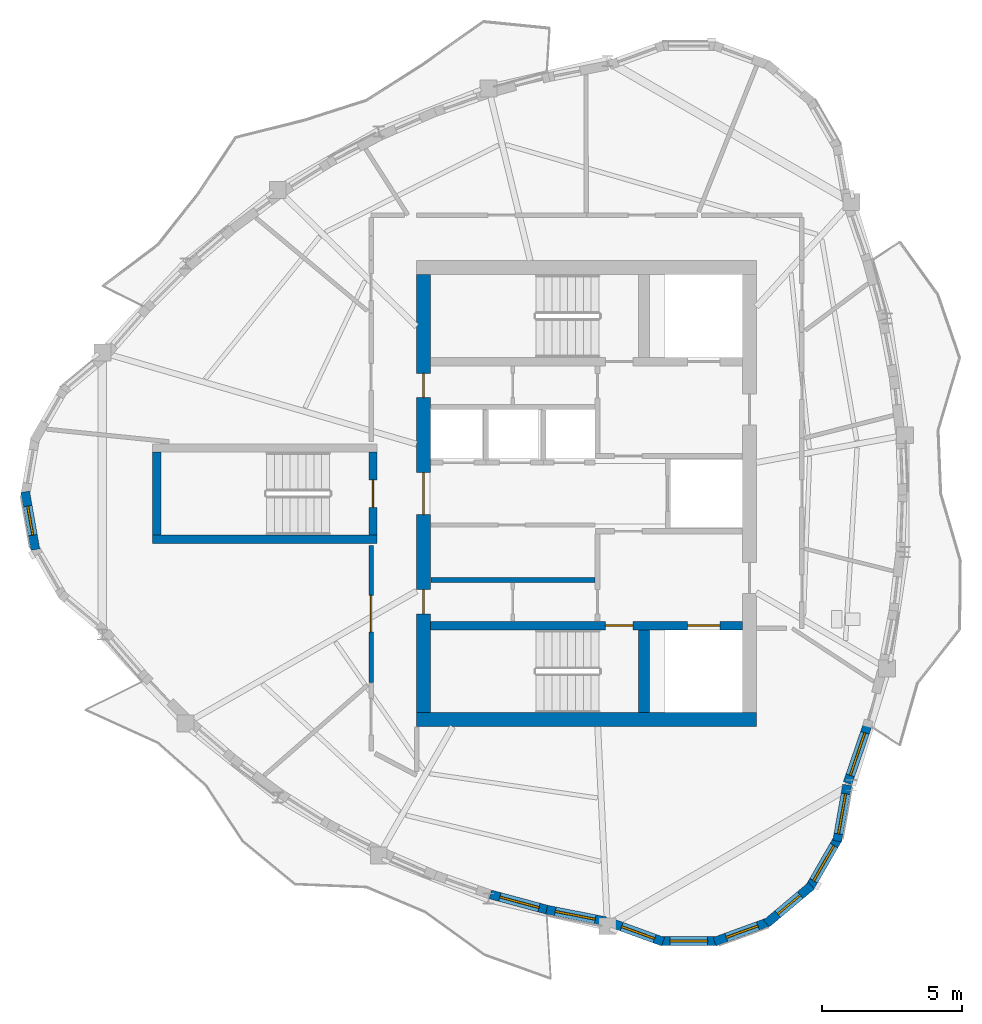
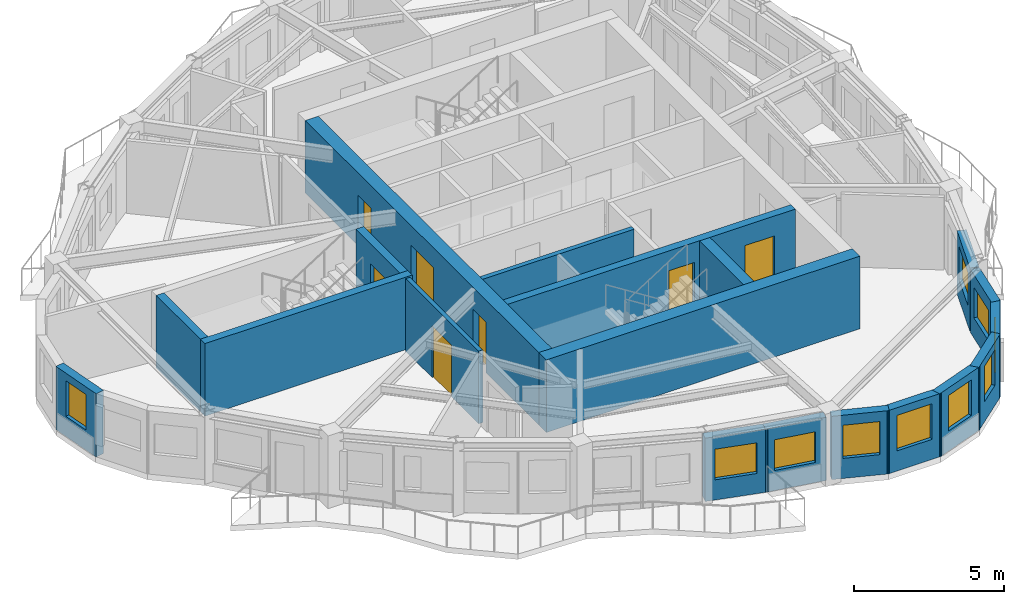
# One storey, part 3 of 11: 19 walls, 10 windows, 7 doors, 17 openings.
"""IFC4 building model written with IfcOpenShell, lengths in metres."""

from ifc_helpers import new_model, si_unit, direction, frame, frame_2d, origin, place, context, subcontext, project, spatial, rectangle, extrude, source, transform, mapped, material, layer, layer_set, type_object, element, fill, save


model = new_model("IFC4")

# Units and contexts
model_context = context("Model", 3, precision=1e-05, world=origin(), true_north=direction((0.0, 1.0)))
body_context = subcontext(model_context, "Body", "Model", "MODEL_VIEW")
ifc_project = project(units=[si_unit("LENGTHUNIT", "METRE"), si_unit("AREAUNIT", "SQUARE_METRE"), si_unit("VOLUMEUNIT", "CUBIC_METRE"), si_unit("PLANEANGLEUNIT", "RADIAN"), si_unit("MASSUNIT", "GRAM", prefix="KILO")], contexts=[model_context])

# Site, building, storey
site_placement = place(None, origin())
site = spatial("IfcSite", under=ifc_project, at=site_placement, CompositionType="ELEMENT")
building_placement = place(site_placement, origin())
building = spatial("IfcBuilding", under=site, at=building_placement, Name="Qafzar Sky-Pleat Residences", CompositionType="ELEMENT")
storey_placement = place(building_placement, frame((0.0, 0.0, 240.39990234375)))
storey = spatial("IfcBuildingStorey", under=building, at=storey_placement, Name="L72", CompositionType="ELEMENT", Elevation=240.39990234375)

# Wall, opening, door
ifc_material_1 = material(Name="Acoustic gypsum plasterboard partition", Category="gypsum")
ifc_layer_1 = layer(ifc_material_1, 0.159912109375)
ifc_layer_set_1 = layer_set([ifc_layer_1], Name="Acoustic gypsum plasterboard partition")
wall_type_1 = type_object("IfcWallType", Name="PART-COR-160", PredefinedType="PARTITIONING", material=ifc_layer_set_1)
wall_1_placement = place(storey_placement, frame((22.679931640625, 19.27099609375, 0.0), z_axis=(0.0, 0.0, 1.0), x_axis=(0.0, 1.0, 0.0)))
wall_1 = element("IfcWall", 1, at=wall_1_placement, inside=storey, type_object=wall_type_1, Name="L72 Partition Wall PART-L72-PW-002", PredefinedType="PARTITIONING", context=body_context, shape_type="SweptSolid", body=[
    extrude(rectangle(XDim=4.87890625, YDim=0.159912109375, at=frame_2d((2.439453125, 0.0))), origin(), (0.0, 0.0, 1.0), 2.960205078125),
])
opening_1_placement = place(wall_1_placement, frame((1.8076171875, 0.0, 0.0)))
opening_1 = element("IfcOpeningElement", 2, at=opening_1_placement, cuts=wall_1, Name="Opening ID-05", PredefinedType="OPENING", context=body_context, shape_type="SweptSolid", body=[
    extrude(rectangle(XDim=1.300048828125, YDim=2.10009765625, at=frame_2d((0.64990234375, 1.050048828125))), frame((0.0, 0.08984375, 0.0), z_axis=(0.0, -1.0, 0.0), x_axis=(1.0, 0.0, 0.0)), (0.0, 0.0, 1.0), 0.179931640625),
])
ifc_material_2 = material(Name="Timber-faced fire door", Category="wood")
door_type_1 = type_object("IfcDoorType", Name="DR-LNG-1300", OperationType="DOUBLE_DOOR_SINGLE_SWING", PredefinedType="DOOR", material=ifc_material_2)
shared_shape_1 = source(origin(), body_context, "Body", "SweptSolid", [
    extrude(rectangle(XDim=1.300048828125, YDim=2.10009765625, at=frame_2d((0.64990234375, 1.050048828125))), frame((0.0, 0.02490234375, 0.0), z_axis=(0.0, -1.0, 0.0), x_axis=(1.0, 0.0, 0.0)), (0.0, 0.0, 1.0), 0.050048828125),
])
door_1_placement = place(opening_1_placement, origin())
door_1 = element("IfcDoor", 3, at=door_1_placement, inside=storey, type_object=door_type_1, Name="L72 Tutorial Huddle Room Door", OperationType="DOUBLE_DOOR_SINGLE_SWING", OverallHeight=2.10009765625, OverallWidth=1.300048828125, PredefinedType="DOOR", context=body_context, shape_type="MappedRepresentation", body=[
    mapped(shared_shape_1, transform((0.0, 0.0, 0.0), x_axis=(1.0, 0.0, 0.0), y_axis=(0.0, 1.0, 0.0), z_axis=(0.0, 0.0, 1.0), scale=1.0)),
])
fill(opening_1, door_1)

# Wall
ifc_material_3 = material(Name="Concrete blockwork partition", Category="masonry")
ifc_layer_2 = layer(ifc_material_3, 0.179931640625)
ifc_layer_set_2 = layer_set([ifc_layer_2], Name="Concrete blockwork partition")
wall_type_2 = type_object("IfcWallType", Name="PART-SHAFT-180", PredefinedType="PARTITIONING", material=ifc_layer_set_2)
wall_2_placement = place(storey_placement, frame((24.81005859375, 22.919921875, 0.0), z_axis=(0.0, 0.0, 1.0), x_axis=(1.0, 0.0, 0.0)))
element("IfcWall", 4, at=wall_2_placement, inside=storey, type_object=wall_type_2, Name="L72 Partition Wall PART-L72-P13-S", PredefinedType="PARTITIONING", context=body_context, shape_type="SweptSolid", body=[
    extrude(rectangle(XDim=5.83984375, YDim=0.179931640625, at=frame_2d((2.919921875, 0.0))), origin(), (0.0, 0.0, 1.0), 2.960205078125),
])

# Wall, opening, window
ifc_material_4 = material(Name="Precast concrete C40/50 with honed Riyadh limestone", Category="concrete")
ifc_layer_3 = layer(ifc_material_4, 0.320068359375)
ifc_layer_set_3 = layer_set([ifc_layer_3], Name="Precast concrete C40/50 with honed Riyadh limestone")
wall_type_3 = type_object("IfcWallType", Name="WALL-EXT-320", PredefinedType="SOLIDWALL", material=ifc_layer_set_3)
wall_3_placement = place(storey_placement, frame((10.361083984375, 26.065185546875, 0.0), z_axis=(0.0, 0.0, 1.0), x_axis=(0.173672066494, -0.984803540469, 0.0)))
wall_3 = element("IfcWall", 5, at=wall_3_placement, inside=storey, type_object=wall_type_3, Name="L72 Limestone Facade Wall 4", PredefinedType="SOLIDWALL", context=body_context, shape_type="SweptSolid", body=[
    extrude(rectangle(XDim=2.09033203125, YDim=0.320068359375, at=frame_2d((1.045166015625, 0.0))), origin(), (0.0, 0.0, 1.0), 2.580078125),
])
opening_2_placement = place(wall_3_placement, frame((0.520263671875, 0.0, 0.820068359375)))
opening_2 = element("IfcOpeningElement", 6, at=opening_2_placement, cuts=wall_3, Name="Opening WN-06", PredefinedType="OPENING", context=body_context, shape_type="SweptSolid", body=[
    extrude(rectangle(XDim=1.050048828125, YDim=1.449951171875, at=frame_2d((0.52490234375, 0.72509765625))), frame((0.0, 0.169921875, 0.0), z_axis=(0.0, -1.0, 0.0), x_axis=(1.0, 0.0, 0.0)), (0.0, 0.0, 1.0), 0.340087890625),
])
ifc_material_5 = material(Name="Solar-control low-E glass in bronze aluminium frame", Category="glass")
window_type_1 = type_object("IfcWindowType", Name="WIN-06", PartitioningType="SINGLE_PANEL", PredefinedType="WINDOW", material=ifc_material_5)
shared_shape_2 = source(origin(), body_context, "Body", "SweptSolid", [
    extrude(rectangle(XDim=1.050048828125, YDim=1.449951171875, at=frame_2d((0.52490234375, 0.72509765625))), frame((0.0, 0.030029296875, 0.0), z_axis=(0.0, -1.0, 0.0), x_axis=(1.0, 0.0, 0.0)), (0.0, 0.0, 1.0), 0.06005859375),
])
window_1_placement = place(opening_2_placement, origin())
window_1 = element("IfcWindow", 7, at=window_1_placement, inside=storey, type_object=window_type_1, Name="L72 Punched Facade Window 04", OverallHeight=1.449951171875, OverallWidth=1.050048828125, PartitioningType="SINGLE_PANEL", PredefinedType="WINDOW", context=body_context, shape_type="MappedRepresentation", body=[
    mapped(shared_shape_2, transform((0.0, 0.0, 0.0), x_axis=(1.0, 0.0, 0.0), y_axis=(0.0, 1.0, 0.0), z_axis=(0.0, 0.0, 1.0), scale=1.0)),
])
fill(opening_2, window_1)

wall_4_placement = place(storey_placement, frame((26.927734375, 11.725830078125, 0.0), z_axis=(0.0, 0.0, 1.0), x_axis=(0.965475284531, -0.260494673572, 0.0)))
wall_4 = element("IfcWall", 8, at=wall_4_placement, inside=storey, type_object=wall_type_3, Name="L72 Limestone Facade Wall 15", PredefinedType="SOLIDWALL", context=body_context, shape_type="SweptSolid", body=[
    extrude(rectangle(XDim=2.166748046875, YDim=0.320068359375, at=frame_2d((1.08349609375, 0.0))), origin(), (0.0, 0.0, 1.0), 2.580078125),
])
opening_3_placement = place(wall_4_placement, frame((0.348388671875, 0.0, 0.820068359375)))
opening_3 = element("IfcOpeningElement", 9, at=opening_3_placement, cuts=wall_4, Name="Opening WN-15", PredefinedType="OPENING", context=body_context, shape_type="SweptSolid", body=[
    extrude(rectangle(XDim=1.449951171875, YDim=1.25, at=frame_2d((0.72509765625, 0.625))), frame((0.0, 0.169921875, 0.0), z_axis=(0.0, -1.0, 0.0), x_axis=(1.0, 0.0, 0.0)), (0.0, 0.0, 1.0), 0.340087890625),
])
window_type_2 = type_object("IfcWindowType", Name="WIN-15", PartitioningType="SINGLE_PANEL", PredefinedType="WINDOW", material=ifc_material_5)
shared_shape_3 = source(origin(), body_context, "Body", "SweptSolid", [
    extrude(rectangle(XDim=1.449951171875, YDim=1.25, at=frame_2d((0.72509765625, 0.625))), frame((0.0, 0.030029296875, 0.0), z_axis=(0.0, -1.0, 0.0), x_axis=(1.0, 0.0, 0.0)), (0.0, 0.0, 1.0), 0.06005859375),
])
window_2_placement = place(opening_3_placement, origin())
window_2 = element("IfcWindow", 10, at=window_2_placement, inside=storey, type_object=window_type_2, Name="L72 Punched Facade Window 15", OverallHeight=1.25, OverallWidth=1.449951171875, PartitioningType="SINGLE_PANEL", PredefinedType="WINDOW", context=body_context, shape_type="MappedRepresentation", body=[
    mapped(shared_shape_3, transform((0.0, 0.0, 0.0), x_axis=(1.0, 0.0, 0.0), y_axis=(0.0, 1.0, 0.0), z_axis=(0.0, 0.0, 1.0), scale=1.0)),
])
fill(opening_3, window_2)

wall_5_placement = place(storey_placement, frame((28.93505859375, 11.180908203125, 0.0), z_axis=(0.0, 0.0, 1.0), x_axis=(0.981241123534, -0.192784484559, 0.0)))
wall_5 = element("IfcWall", 11, at=wall_5_placement, inside=storey, type_object=wall_type_3, Name="L72 Limestone Facade Wall 16", PredefinedType="SOLIDWALL", context=body_context, shape_type="SweptSolid", body=[
    extrude(rectangle(XDim=2.142822265625, YDim=0.320068359375, at=frame_2d((1.0712890625, 0.0))), origin(), (0.0, 0.0, 1.0), 2.580078125),
])
opening_4_placement = place(wall_5_placement, frame((0.311279296875, 0.0, 0.820068359375)))
opening_4 = element("IfcOpeningElement", 12, at=opening_4_placement, cuts=wall_5, Name="Opening WN-15", PredefinedType="OPENING", context=body_context, shape_type="SweptSolid", body=[
    extrude(rectangle(XDim=1.449951171875, YDim=1.25, at=frame_2d((0.72509765625, 0.625))), frame((0.0, 0.169921875, 0.0), z_axis=(0.0, -1.0, 0.0), x_axis=(1.0, 0.0, 0.0)), (0.0, 0.0, 1.0), 0.340087890625),
])
window_3_placement = place(opening_4_placement, origin())
window_3 = element("IfcWindow", 13, at=window_3_placement, inside=storey, type_object=window_type_2, Name="L72 Punched Facade Window 16", OverallHeight=1.25, OverallWidth=1.449951171875, PartitioningType="SINGLE_PANEL", PredefinedType="WINDOW", context=body_context, shape_type="MappedRepresentation", body=[
    mapped(shared_shape_3, transform((0.0, 0.0, 0.0), x_axis=(1.0, 0.0, 0.0), y_axis=(0.0, 1.0, 0.0), z_axis=(0.0, 0.0, 1.0), scale=1.0)),
])
fill(opening_4, window_3)

wall_6_placement = place(storey_placement, frame((31.234375, 10.712890625, 0.0), z_axis=(0.0, 0.0, 1.0), x_axis=(0.939720740429, -0.341942875357, 0.0)))
wall_6 = element("IfcWall", 14, at=wall_6_placement, inside=storey, type_object=wall_type_3, Name="L72 Limestone Facade Wall 17", PredefinedType="SOLIDWALL", context=body_context, shape_type="SweptSolid", body=[
    extrude(rectangle(XDim=1.9619140625, YDim=0.320068359375, at=frame_2d((0.98095703125, 0.0))), origin(), (0.0, 0.0, 1.0), 2.580078125),
])
opening_5_placement = place(wall_6_placement, frame((0.39111328125, 0.0, 0.820068359375)))
opening_5 = element("IfcOpeningElement", 15, at=opening_5_placement, cuts=wall_6, Name="Opening WN-11", PredefinedType="OPENING", context=body_context, shape_type="SweptSolid", body=[
    extrude(rectangle(XDim=1.25, YDim=1.35009765625, at=frame_2d((0.625, 0.675048828125))), frame((0.0, 0.169921875, 0.0), z_axis=(0.0, -1.0, 0.0), x_axis=(1.0, 0.0, 0.0)), (0.0, 0.0, 1.0), 0.340087890625),
])
window_type_3 = type_object("IfcWindowType", Name="WIN-11", PartitioningType="SINGLE_PANEL", PredefinedType="WINDOW", material=ifc_material_5)
shared_shape_4 = source(origin(), body_context, "Body", "SweptSolid", [
    extrude(rectangle(XDim=1.25, YDim=1.35009765625, at=frame_2d((0.625, 0.675048828125))), frame((0.0, 0.030029296875, 0.0), z_axis=(0.0, -1.0, 0.0), x_axis=(1.0, 0.0, 0.0)), (0.0, 0.0, 1.0), 0.06005859375),
])
window_4_placement = place(opening_5_placement, origin())
window_4 = element("IfcWindow", 16, at=window_4_placement, inside=storey, type_object=window_type_3, Name="L72 Punched Facade Window 17", OverallHeight=1.35009765625, OverallWidth=1.25, PartitioningType="SINGLE_PANEL", PredefinedType="WINDOW", context=body_context, shape_type="MappedRepresentation", body=[
    mapped(shared_shape_4, transform((0.0, 0.0, 0.0), x_axis=(1.0, 0.0, 0.0), y_axis=(0.0, 1.0, 0.0), z_axis=(0.0, 0.0, 1.0), scale=1.0)),
])
fill(opening_5, window_4)

wall_7_placement = place(storey_placement, frame((32.94970703125, 10.064453125, 0.0), z_axis=(0.0, 0.0, 1.0), x_axis=(1.0, 0.0, 0.0)))
wall_7 = element("IfcWall", 17, at=wall_7_placement, inside=storey, type_object=wall_type_3, Name="L72 Limestone Facade Wall 18", PredefinedType="SOLIDWALL", context=body_context, shape_type="SweptSolid", body=[
    extrude(rectangle(XDim=2.090576171875, YDim=0.320068359375, at=frame_2d((1.04541015625, 0.0))), origin(), (0.0, 0.0, 1.0), 2.580078125),
])
opening_6_placement = place(wall_7_placement, frame((0.3701171875, 0.0, 0.820068359375)))
opening_6 = element("IfcOpeningElement", 18, at=opening_6_placement, cuts=wall_7, Name="Opening WN-04", PredefinedType="OPENING", context=body_context, shape_type="SweptSolid", body=[
    extrude(rectangle(XDim=1.35009765625, YDim=1.449951171875, at=frame_2d((0.675048828125, 0.72509765625))), frame((0.0, 0.169921875, 0.0), z_axis=(0.0, -1.0, 0.0), x_axis=(1.0, 0.0, 0.0)), (0.0, 0.0, 1.0), 0.340087890625),
])
window_type_4 = type_object("IfcWindowType", Name="WIN-04", PartitioningType="SINGLE_PANEL", PredefinedType="WINDOW", material=ifc_material_5)
shared_shape_5 = source(origin(), body_context, "Body", "SweptSolid", [
    extrude(rectangle(XDim=1.35009765625, YDim=1.449951171875, at=frame_2d((0.675048828125, 0.72509765625))), frame((0.0, 0.030029296875, 0.0), z_axis=(0.0, -1.0, 0.0), x_axis=(1.0, 0.0, 0.0)), (0.0, 0.0, 1.0), 0.06005859375),
])
window_5_placement = place(opening_6_placement, origin())
window_5 = element("IfcWindow", 19, at=window_5_placement, inside=storey, type_object=window_type_4, Name="L72 Punched Facade Window 18", OverallHeight=1.449951171875, OverallWidth=1.35009765625, PartitioningType="SINGLE_PANEL", PredefinedType="WINDOW", context=body_context, shape_type="MappedRepresentation", body=[
    mapped(shared_shape_5, transform((0.0, 0.0, 0.0), x_axis=(1.0, 0.0, 0.0), y_axis=(0.0, 1.0, 0.0), z_axis=(0.0, 0.0, 1.0), scale=1.0)),
])
fill(opening_6, window_5)

wall_8_placement = place(storey_placement, frame((34.911865234375, 10.0419921875, 0.0), z_axis=(0.0, 0.0, 1.0), x_axis=(0.93973543134, 0.341902499383, 0.0)))
wall_8 = element("IfcWall", 20, at=wall_8_placement, inside=storey, type_object=wall_type_3, Name="L72 Limestone Facade Wall 19", PredefinedType="SOLIDWALL", context=body_context, shape_type="SweptSolid", body=[
    extrude(rectangle(XDim=2.090087890625, YDim=0.320068359375, at=frame_2d((1.044921875, 0.0))), origin(), (0.0, 0.0, 1.0), 2.580078125),
])
opening_7_placement = place(wall_8_placement, frame((0.445068359375, 0.0, 0.820068359375)))
opening_7 = element("IfcOpeningElement", 21, at=opening_7_placement, cuts=wall_8, Name="Opening WN-05", PredefinedType="OPENING", context=body_context, shape_type="SweptSolid", body=[
    extrude(rectangle(XDim=1.199951171875, YDim=1.449951171875, at=frame_2d((0.60009765625, 0.72509765625))), frame((0.0, 0.169921875, 0.0), z_axis=(0.0, -1.0, 0.0), x_axis=(1.0, 0.0, 0.0)), (0.0, 0.0, 1.0), 0.340087890625),
])
window_type_5 = type_object("IfcWindowType", Name="WIN-05", PartitioningType="SINGLE_PANEL", PredefinedType="WINDOW", material=ifc_material_5)
shared_shape_6 = source(origin(), body_context, "Body", "SweptSolid", [
    extrude(rectangle(XDim=1.199951171875, YDim=1.449951171875, at=frame_2d((0.60009765625, 0.72509765625))), frame((0.0, 0.030029296875, 0.0), z_axis=(0.0, -1.0, 0.0), x_axis=(1.0, 0.0, 0.0)), (0.0, 0.0, 1.0), 0.06005859375),
])
window_6_placement = place(opening_7_placement, origin())
window_6 = element("IfcWindow", 22, at=window_6_placement, inside=storey, type_object=window_type_5, Name="L72 Punched Facade Window 19", OverallHeight=1.449951171875, OverallWidth=1.199951171875, PartitioningType="SINGLE_PANEL", PredefinedType="WINDOW", context=body_context, shape_type="MappedRepresentation", body=[
    mapped(shared_shape_6, transform((0.0, 0.0, 0.0), x_axis=(1.0, 0.0, 0.0), y_axis=(0.0, 1.0, 0.0), z_axis=(0.0, 0.0, 1.0), scale=1.0)),
])
fill(opening_7, window_6)

wall_9_placement = place(storey_placement, frame((36.762939453125, 10.69140625, 0.0), z_axis=(0.0, 0.0, 1.0), x_axis=(0.766072824549, 0.642753784499, 0.0)))
wall_9 = element("IfcWall", 23, at=wall_9_placement, inside=storey, type_object=wall_type_3, Name="L72 Limestone Facade Wall 20", PredefinedType="SOLIDWALL", context=body_context, shape_type="SweptSolid", body=[
    extrude(rectangle(XDim=2.090576171875, YDim=0.320068359375, at=frame_2d((1.04541015625, 0.0))), origin(), (0.0, 0.0, 1.0), 2.580078125),
])
opening_8_placement = place(wall_9_placement, frame((0.520263671875, 0.0, 0.820068359375)))
opening_8 = element("IfcOpeningElement", 24, at=opening_8_placement, cuts=wall_9, Name="Opening WN-06", PredefinedType="OPENING", context=body_context, shape_type="SweptSolid", body=[
    extrude(rectangle(XDim=1.050048828125, YDim=1.449951171875, at=frame_2d((0.52490234375, 0.72509765625))), frame((0.0, 0.169921875, 0.0), z_axis=(0.0, -1.0, 0.0), x_axis=(1.0, 0.0, 0.0)), (0.0, 0.0, 1.0), 0.340087890625),
])
window_7_placement = place(opening_8_placement, origin())
window_7 = element("IfcWindow", 25, at=window_7_placement, inside=storey, type_object=window_type_1, Name="L72 Punched Facade Window 20", OverallHeight=1.449951171875, OverallWidth=1.050048828125, PartitioningType="SINGLE_PANEL", PredefinedType="WINDOW", context=body_context, shape_type="MappedRepresentation", body=[
    mapped(shared_shape_2, transform((0.0, 0.0, 0.0), x_axis=(1.0, 0.0, 0.0), y_axis=(0.0, 1.0, 0.0), z_axis=(0.0, 0.0, 1.0), scale=1.0)),
])
fill(opening_8, window_7)

wall_10_placement = place(storey_placement, frame((38.280517578125, 11.935302734375, 0.0), z_axis=(0.0, 0.0, 1.0), x_axis=(0.499995423472, 0.866028046028, 0.0)))
wall_10 = element("IfcWall", 26, at=wall_10_placement, inside=storey, type_object=wall_type_3, Name="L72 Limestone Facade Wall 21", PredefinedType="SOLIDWALL", context=body_context, shape_type="SweptSolid", body=[
    extrude(rectangle(XDim=2.09033203125, YDim=0.320068359375, at=frame_2d((1.045166015625, 0.0))), origin(), (0.0, 0.0, 1.0), 2.580078125),
])
opening_9_placement = place(wall_10_placement, frame((0.320068359375, 0.0, 0.820068359375)))
opening_9 = element("IfcOpeningElement", 27, at=opening_9_placement, cuts=wall_10, Name="Opening WN-15", PredefinedType="OPENING", context=body_context, shape_type="SweptSolid", body=[
    extrude(rectangle(XDim=1.449951171875, YDim=1.25, at=frame_2d((0.72509765625, 0.625))), frame((0.0, 0.169921875, 0.0), z_axis=(0.0, -1.0, 0.0), x_axis=(1.0, 0.0, 0.0)), (0.0, 0.0, 1.0), 0.340087890625),
])
window_8_placement = place(opening_9_placement, origin())
window_8 = element("IfcWindow", 28, at=window_8_placement, inside=storey, type_object=window_type_2, Name="L72 Punched Facade Window 21", OverallHeight=1.25, OverallWidth=1.449951171875, PartitioningType="SINGLE_PANEL", PredefinedType="WINDOW", context=body_context, shape_type="MappedRepresentation", body=[
    mapped(shared_shape_3, transform((0.0, 0.0, 0.0), x_axis=(1.0, 0.0, 0.0), y_axis=(0.0, 1.0, 0.0), z_axis=(0.0, 0.0, 1.0), scale=1.0)),
])
fill(opening_9, window_8)

wall_11_placement = place(storey_placement, frame((39.281005859375, 13.623046875, 0.0), z_axis=(0.0, 0.0, 1.0), x_axis=(0.17370309897, 0.984798067326, 0.0)))
wall_11 = element("IfcWall", 29, at=wall_11_placement, inside=storey, type_object=wall_type_3, Name="L72 Limestone Facade Wall 22", PredefinedType="SOLIDWALL", context=body_context, shape_type="SweptSolid", body=[
    extrude(rectangle(XDim=2.032470703125, YDim=0.320068359375, at=frame_2d((1.01611328125, 0.0))), origin(), (0.0, 0.0, 1.0), 2.580078125),
])
opening_10_placement = place(wall_11_placement, frame((0.26123046875, 0.0, 0.820068359375)))
opening_10 = element("IfcOpeningElement", 30, at=opening_10_placement, cuts=wall_11, Name="Opening WN-15", PredefinedType="OPENING", context=body_context, shape_type="SweptSolid", body=[
    extrude(rectangle(XDim=1.449951171875, YDim=1.25, at=frame_2d((0.72509765625, 0.625))), frame((0.0, 0.169921875, 0.0), z_axis=(0.0, -1.0, 0.0), x_axis=(1.0, 0.0, 0.0)), (0.0, 0.0, 1.0), 0.340087890625),
])
window_9_placement = place(opening_10_placement, origin())
window_9 = element("IfcWindow", 31, at=window_9_placement, inside=storey, type_object=window_type_2, Name="L72 Punched Facade Window 22", OverallHeight=1.25, OverallWidth=1.449951171875, PartitioningType="SINGLE_PANEL", PredefinedType="WINDOW", context=body_context, shape_type="MappedRepresentation", body=[
    mapped(shared_shape_3, transform((0.0, 0.0, 0.0), x_axis=(1.0, 0.0, 0.0), y_axis=(0.0, 1.0, 0.0), z_axis=(0.0, 0.0, 1.0), scale=1.0)),
])
fill(opening_10, window_9)

wall_12_placement = place(storey_placement, frame((39.650146484375, 15.68701171875, 0.0), z_axis=(0.0, 0.0, 1.0), x_axis=(0.323599303824, 0.946194213978, 0.0)))
wall_12 = element("IfcWall", 32, at=wall_12_placement, inside=storey, type_object=wall_type_3, Name="L72 Limestone Facade Wall 23", PredefinedType="SOLIDWALL", context=body_context, shape_type="SweptSolid", body=[
    extrude(rectangle(XDim=2.212890625, YDim=0.320068359375, at=frame_2d((1.1064453125, 0.0))), origin(), (0.0, 0.0, 1.0), 2.580078125),
])
opening_11_placement = place(wall_12_placement, frame((0.29638671875, 0.0, 0.820068359375)))
opening_11 = element("IfcOpeningElement", 33, at=opening_11_placement, cuts=wall_12, Name="Opening WN-09", PredefinedType="OPENING", context=body_context, shape_type="SweptSolid", body=[
    extrude(rectangle(XDim=1.60009765625, YDim=1.35009765625, at=frame_2d((0.800048828125, 0.675048828125))), frame((0.0, 0.169921875, 0.0), z_axis=(0.0, -1.0, 0.0), x_axis=(1.0, 0.0, 0.0)), (0.0, 0.0, 1.0), 0.340087890625),
])
window_type_6 = type_object("IfcWindowType", Name="WIN-09", PartitioningType="DOUBLE_PANEL_VERTICAL", PredefinedType="WINDOW", material=ifc_material_5)
shared_shape_7 = source(origin(), body_context, "Body", "SweptSolid", [
    extrude(rectangle(XDim=1.60009765625, YDim=1.35009765625, at=frame_2d((0.800048828125, 0.675048828125))), frame((0.0, 0.030029296875, 0.0), z_axis=(0.0, -1.0, 0.0), x_axis=(1.0, 0.0, 0.0)), (0.0, 0.0, 1.0), 0.06005859375),
])
window_10_placement = place(opening_11_placement, origin())
window_10 = element("IfcWindow", 34, at=window_10_placement, inside=storey, type_object=window_type_6, Name="L72 Punched Facade Window 23", OverallHeight=1.35009765625, OverallWidth=1.60009765625, PartitioningType="SINGLE_PANEL", PredefinedType="WINDOW", context=body_context, shape_type="MappedRepresentation", body=[
    mapped(shared_shape_7, transform((0.0, 0.0, 0.0), x_axis=(1.0, 0.0, 0.0), y_axis=(0.0, 1.0, 0.0), z_axis=(0.0, 0.0, 1.0), scale=1.0)),
])
fill(opening_11, window_10)

# Wall, openings, doors
ifc_material_6 = material(Name="Concrete C60/75", Category="concrete")
ifc_layer_4 = layer(ifc_material_6, 0.300048828125)
ifc_layer_set_4 = layer_set([ifc_layer_4], Name="Concrete C60/75")
wall_type_4 = type_object("IfcWallType", Name="WALL-SHEAR-300", PredefinedType="SHEAR", material=ifc_layer_set_4)
wall_13_placement = place(storey_placement, frame((24.800048828125, 21.300048828125, 0.0), z_axis=(0.0, 0.0, 1.0), x_axis=(1.0, 0.0, 0.0)))
wall_13 = element("IfcWall", 35, at=wall_13_placement, inside=storey, type_object=wall_type_4, Name="L72 Stair ST1 and FF1 Shaft North Wall", PredefinedType="SHEAR", context=body_context, shape_type="SweptSolid", body=[
    extrude(rectangle(XDim=11.099853515625, YDim=0.300048828125, at=frame_2d((5.5498046875, 0.0))), origin(), (0.0, 0.0, 1.0), 2.960205078125),
])
opening_12_placement = place(wall_13_placement, frame((6.219970703125, 0.0, 0.0)))
opening_12 = element("IfcOpeningElement", 36, at=opening_12_placement, cuts=wall_13, Name="Opening ID-01", PredefinedType="OPENING", context=body_context, shape_type="SweptSolid", body=[
    extrude(rectangle(XDim=0.97998046875, YDim=2.14990234375, at=frame_2d((0.489990234375, 1.074951171875))), frame((0.0, 0.16015625, 0.0), z_axis=(0.0, -1.0, 0.0), x_axis=(1.0, 0.0, 0.0)), (0.0, 0.0, 1.0), 0.320068359375),
])
opening_13_placement = place(wall_13_placement, frame((9.14990234375, 0.0, 0.0)))
opening_13 = element("IfcOpeningElement", 37, at=opening_13_placement, cuts=wall_13, Name="Opening LD-02", PredefinedType="OPENING", context=body_context, shape_type="SweptSolid", body=[
    extrude(rectangle(XDim=1.14990234375, YDim=2.14990234375, at=frame_2d((0.574951171875, 1.074951171875))), frame((0.0, 0.16015625, 0.0), z_axis=(0.0, -1.0, 0.0), x_axis=(1.0, 0.0, 0.0)), (0.0, 0.0, 1.0), 0.320068359375),
])
door_type_2 = type_object("IfcDoorType", Name="DR-STAIR-980", OperationType="NOTDEFINED", PredefinedType="DOOR", material=ifc_material_2)
shared_shape_8 = source(origin(), body_context, "Body", "SweptSolid", [
    extrude(rectangle(XDim=0.97998046875, YDim=2.14990234375, at=frame_2d((0.489990234375, 1.074951171875))), frame((0.0, 0.02490234375, 0.0), z_axis=(0.0, -1.0, 0.0), x_axis=(1.0, 0.0, 0.0)), (0.0, 0.0, 1.0), 0.050048828125),
])
door_2_placement = place(opening_12_placement, origin())
door_2 = element("IfcDoor", 38, at=door_2_placement, inside=storey, type_object=door_type_2, Name="L72 Stair ST1 Fire Door", OperationType="SINGLE_SWING_LEFT", OverallHeight=2.14990234375, OverallWidth=0.97998046875, PredefinedType="DOOR", context=body_context, shape_type="MappedRepresentation", body=[
    mapped(shared_shape_8, transform((0.0, 0.0, 0.0), x_axis=(1.0, 0.0, 0.0), y_axis=(0.0, 1.0, 0.0), z_axis=(0.0, 0.0, 1.0), scale=1.0)),
])
fill(opening_12, door_2)
ifc_material_7 = material(Name="Stainless steel sliding landing door", Category="steel")
door_type_3 = type_object("IfcDoorType", Name="DR-LIFT-FF", OperationType="DOUBLE_DOOR_SLIDING", PredefinedType="DOOR", material=ifc_material_7)
shared_shape_9 = source(origin(), body_context, "Body", "SweptSolid", [
    extrude(rectangle(XDim=1.14990234375, YDim=2.14990234375, at=frame_2d((0.574951171875, 1.074951171875))), frame((0.0, 0.02490234375, 0.0), z_axis=(0.0, -1.0, 0.0), x_axis=(1.0, 0.0, 0.0)), (0.0, 0.0, 1.0), 0.050048828125),
])
door_3_placement = place(opening_13_placement, origin())
door_3 = element("IfcDoor", 39, at=door_3_placement, inside=storey, type_object=door_type_3, Name="L72 Firefighting Lift FF1 Landing Door", OperationType="DOUBLE_DOOR_SLIDING", OverallHeight=2.14990234375, OverallWidth=1.14990234375, PredefinedType="DOOR", context=body_context, shape_type="MappedRepresentation", body=[
    mapped(shared_shape_9, transform((0.0, 0.0, 0.0), x_axis=(1.0, 0.0, 0.0), y_axis=(0.0, 1.0, 0.0), z_axis=(0.0, 0.0, 1.0), scale=1.0)),
])
fill(opening_13, door_3)

# Walls
wall_14_placement = place(storey_placement, frame((14.89990234375, 24.375, 0.0), z_axis=(0.0, 0.0, 1.0), x_axis=(1.0, 0.0, 0.0)))
element("IfcWall", 40, at=wall_14_placement, inside=storey, type_object=wall_type_4, Name="L72 ST3 wall S", PredefinedType="SHEAR", context=body_context, shape_type="SweptSolid", body=[
    extrude(rectangle(XDim=8.0, YDim=0.300048828125, at=frame_2d((4.0, 0.0))), origin(), (0.0, 0.0, 1.0), 2.960205078125),
])
wall_15_placement = place(storey_placement, frame((15.050048828125, 27.47509765625, 0.0), z_axis=(0.0, 0.0, 1.0), x_axis=(0.0, -1.0, 0.0)))
element("IfcWall", 41, at=wall_15_placement, inside=storey, type_object=wall_type_4, Name="L72 ST3 wall W", PredefinedType="SHEAR", context=body_context, shape_type="SweptSolid", body=[
    extrude(rectangle(XDim=2.9501953125, YDim=0.300048828125, at=frame_2d((1.47509765625, 0.0))), origin(), (0.0, 0.0, 1.0), 2.960205078125),
])

# Wall, opening, door
wall_16_placement = place(storey_placement, frame((22.75, 24.52490234375, 0.0), z_axis=(0.0, 0.0, 1.0), x_axis=(0.0, 1.0, 0.0)))
wall_16 = element("IfcWall", 42, at=wall_16_placement, inside=storey, type_object=wall_type_4, Name="L72 ST3 wall E", PredefinedType="SHEAR", context=body_context, shape_type="SweptSolid", body=[
    extrude(rectangle(XDim=2.9501953125, YDim=0.300048828125, at=frame_2d((1.47509765625, 0.0))), origin(), (0.0, 0.0, 1.0), 2.960205078125),
])
opening_14_placement = place(wall_16_placement, frame((0.985107421875, 0.0, 0.0)))
opening_14 = element("IfcOpeningElement", 43, at=opening_14_placement, cuts=wall_16, Name="Opening ID-01", PredefinedType="OPENING", context=body_context, shape_type="SweptSolid", body=[
    extrude(rectangle(XDim=0.97998046875, YDim=2.14990234375, at=frame_2d((0.489990234375, 1.074951171875))), frame((0.0, 0.16015625, 0.0), z_axis=(0.0, -1.0, 0.0), x_axis=(1.0, 0.0, 0.0)), (0.0, 0.0, 1.0), 0.320068359375),
])
door_4_placement = place(opening_14_placement, origin())
door_4 = element("IfcDoor", 44, at=door_4_placement, inside=storey, type_object=door_type_2, Name="L72 Stair ST3 Fire Door", OperationType="SINGLE_SWING_LEFT", OverallHeight=2.14990234375, OverallWidth=0.97998046875, PredefinedType="DOOR", context=body_context, shape_type="MappedRepresentation", body=[
    mapped(shared_shape_8, transform((0.0, 0.0, 0.0), x_axis=(1.0, 0.0, 0.0), y_axis=(0.0, 1.0, 0.0), z_axis=(0.0, 0.0, 1.0), scale=1.0)),
])
fill(opening_14, door_4)

# Walls
ifc_layer_5 = layer(ifc_material_6, 0.39990234375)
ifc_layer_set_5 = layer_set([ifc_layer_5], Name="Concrete C60/75")
wall_type_5 = type_object("IfcWallType", Name="WALL-SHEAR-400", PredefinedType="SHEAR", material=ifc_layer_set_5)
wall_17_placement = place(storey_placement, frame((32.39990234375, 18.199951171875, 0.0), z_axis=(0.0, 0.0, 1.0), x_axis=(0.0, 1.0, 0.0)))
element("IfcWall", 45, at=wall_17_placement, inside=storey, type_object=wall_type_5, Name="L72 Stair ST1 East Dividing Wall", PredefinedType="SHEAR", context=body_context, shape_type="SweptSolid", body=[
    extrude(rectangle(XDim=2.949951171875, YDim=0.39990234375, at=frame_2d((1.47509765625, 0.0))), origin(), (0.0, 0.0, 1.0), 2.960205078125),
])
ifc_layer_6 = layer(ifc_material_6, 0.5)
ifc_layer_set_6 = layer_set([ifc_layer_6], Name="Concrete C60/75")
wall_type_6 = type_object("IfcWallType", Name="WALL-SHEAR-500", PredefinedType="SHEAR", material=ifc_layer_set_6)
wall_18_placement = place(storey_placement, frame((24.300048828125, 17.949951171875, 0.0), z_axis=(0.0, 0.0, 1.0), x_axis=(1.0, 0.0, 0.0)))
element("IfcWall", 46, at=wall_18_placement, inside=storey, type_object=wall_type_6, Name="L72 CORE wall S", PredefinedType="SHEAR", context=body_context, shape_type="SweptSolid", body=[
    extrude(rectangle(XDim=12.099853515625, YDim=0.5, at=frame_2d((6.0498046875, 0.0))), origin(), (0.0, 0.0, 1.0), 2.960205078125),
])

# Wall, openings, doors
wall_19_placement = place(storey_placement, frame((24.550048828125, 33.800048828125, 0.0), z_axis=(0.0, 0.0, 1.0), x_axis=(0.0, -1.0, 0.0)))
wall_19 = element("IfcWall", 47, at=wall_19_placement, inside=storey, type_object=wall_type_6, Name="L72 CORE wall W", PredefinedType="SHEAR", context=body_context, shape_type="SweptSolid", body=[
    extrude(rectangle(XDim=15.60009765625, YDim=0.5, at=frame_2d((7.800048828125, 0.0))), origin(), (0.0, 0.0, 1.0), 2.960205078125),
])
opening_15_placement = place(wall_19_placement, frame((7.050048828125, 0.0, 0.0)))
opening_15 = element("IfcOpeningElement", 48, at=opening_15_placement, cuts=wall_19, Name="Opening ID-03", PredefinedType="OPENING", context=body_context, shape_type="SweptSolid", body=[
    extrude(rectangle(XDim=1.5, YDim=2.14990234375, at=frame_2d((0.75, 1.074951171875))), frame((0.0, 0.260009765625, 0.0), z_axis=(0.0, -1.0, 0.0), x_axis=(1.0, 0.0, 0.0)), (0.0, 0.0, 1.0), 0.52001953125),
])
opening_16_placement = place(wall_19_placement, frame((3.52001953125, 0.0, 0.0)))
opening_16 = element("IfcOpeningElement", 49, at=opening_16_placement, cuts=wall_19, Name="Opening ID-09", PredefinedType="OPENING", context=body_context, shape_type="SweptSolid", body=[
    extrude(rectangle(XDim=0.860107421875, YDim=2.050048828125, at=frame_2d((0.43017578125, 1.02490234375))), frame((0.0, 0.260009765625, 0.0), z_axis=(0.0, -1.0, 0.0), x_axis=(1.0, 0.0, 0.0)), (0.0, 0.0, 1.0), 0.52001953125),
])
opening_17_placement = place(wall_19_placement, frame((11.219970703125, 0.0, 0.0)))
opening_17 = element("IfcOpeningElement", 50, at=opening_17_placement, cuts=wall_19, Name="Opening ID-09", PredefinedType="OPENING", context=body_context, shape_type="SweptSolid", body=[
    extrude(rectangle(XDim=0.860107421875, YDim=2.050048828125, at=frame_2d((0.43017578125, 1.02490234375))), frame((0.0, 0.260009765625, 0.0), z_axis=(0.0, -1.0, 0.0), x_axis=(1.0, 0.0, 0.0)), (0.0, 0.0, 1.0), 0.52001953125),
])
door_type_4 = type_object("IfcDoorType", Name="DR-COR-1500", OperationType="DOUBLE_DOOR_SINGLE_SWING", PredefinedType="DOOR", material=ifc_material_2)
shared_shape_10 = source(origin(), body_context, "Body", "SweptSolid", [
    extrude(rectangle(XDim=1.5, YDim=2.14990234375, at=frame_2d((0.75, 1.074951171875))), frame((0.0, 0.02490234375, 0.0), z_axis=(0.0, -1.0, 0.0), x_axis=(1.0, 0.0, 0.0)), (0.0, 0.0, 1.0), 0.050048828125),
])
door_5_placement = place(opening_15_placement, origin())
door_5 = element("IfcDoor", 51, at=door_5_placement, inside=storey, type_object=door_type_4, Name="L72 Lift Lobby West Double Door", OperationType="DOUBLE_DOOR_SINGLE_SWING", OverallHeight=2.14990234375, OverallWidth=1.5, PredefinedType="DOOR", context=body_context, shape_type="MappedRepresentation", body=[
    mapped(shared_shape_10, transform((0.0, 0.0, 0.0), x_axis=(1.0, 0.0, 0.0), y_axis=(0.0, 1.0, 0.0), z_axis=(0.0, 0.0, 1.0), scale=1.0)),
])
fill(opening_15, door_5)
door_type_5 = type_object("IfcDoorType", Name="DR-SVC-860", OperationType="NOTDEFINED", PredefinedType="DOOR", material=ifc_material_2)
shared_shape_11 = source(origin(), body_context, "Body", "SweptSolid", [
    extrude(rectangle(XDim=0.860107421875, YDim=2.050048828125, at=frame_2d((0.43017578125, 1.02490234375))), frame((0.0, 0.02490234375, 0.0), z_axis=(0.0, -1.0, 0.0), x_axis=(1.0, 0.0, 0.0)), (0.0, 0.0, 1.0), 0.050048828125),
])
door_6_placement = place(opening_16_placement, origin())
door_6 = element("IfcDoor", 52, at=door_6_placement, inside=storey, type_object=door_type_5, Name="L72 Core North-West Service Door", OperationType="SINGLE_SWING_RIGHT", OverallHeight=2.050048828125, OverallWidth=0.860107421875, PredefinedType="DOOR", context=body_context, shape_type="MappedRepresentation", body=[
    mapped(shared_shape_11, transform((0.0, 0.0, 0.0), x_axis=(1.0, 0.0, 0.0), y_axis=(0.0, 1.0, 0.0), z_axis=(0.0, 0.0, 1.0), scale=1.0)),
])
fill(opening_16, door_6)
door_7_placement = place(opening_17_placement, origin())
door_7 = element("IfcDoor", 53, at=door_7_placement, inside=storey, type_object=door_type_5, Name="L72 Core South-West Service Door", OperationType="SINGLE_SWING_LEFT", OverallHeight=2.050048828125, OverallWidth=0.860107421875, PredefinedType="DOOR", context=body_context, shape_type="MappedRepresentation", body=[
    mapped(shared_shape_11, transform((0.0, 0.0, 0.0), x_axis=(1.0, 0.0, 0.0), y_axis=(0.0, 1.0, 0.0), z_axis=(0.0, 0.0, 1.0), scale=1.0)),
])
fill(opening_17, door_7)

save(model, "model.ifc")
